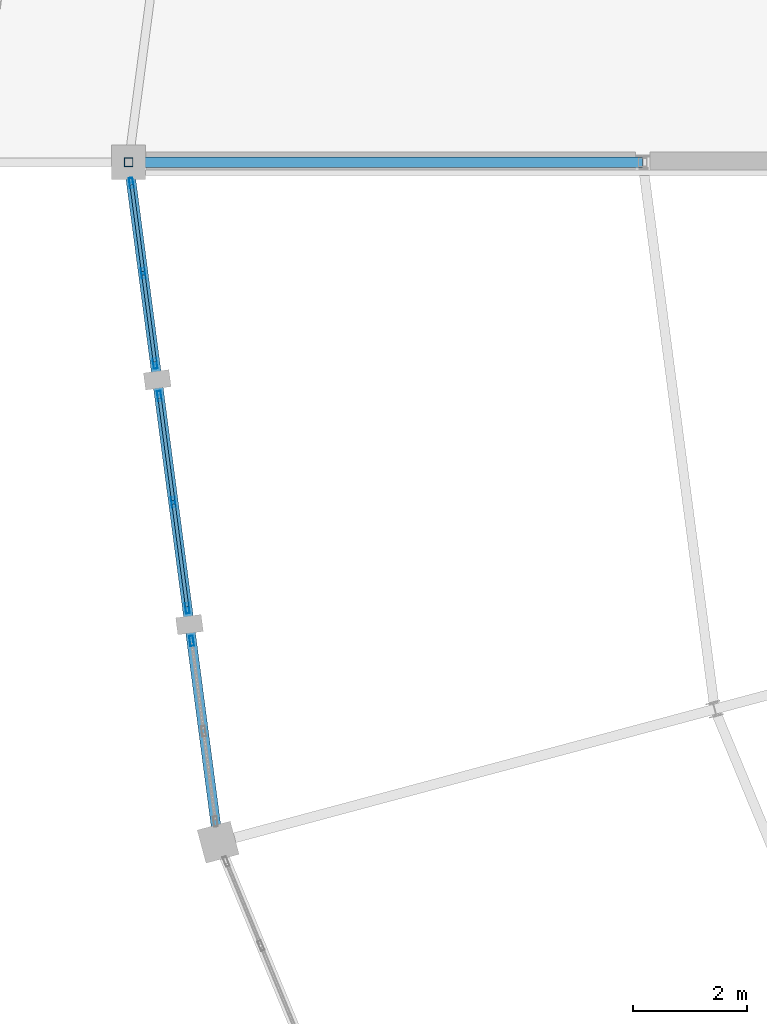
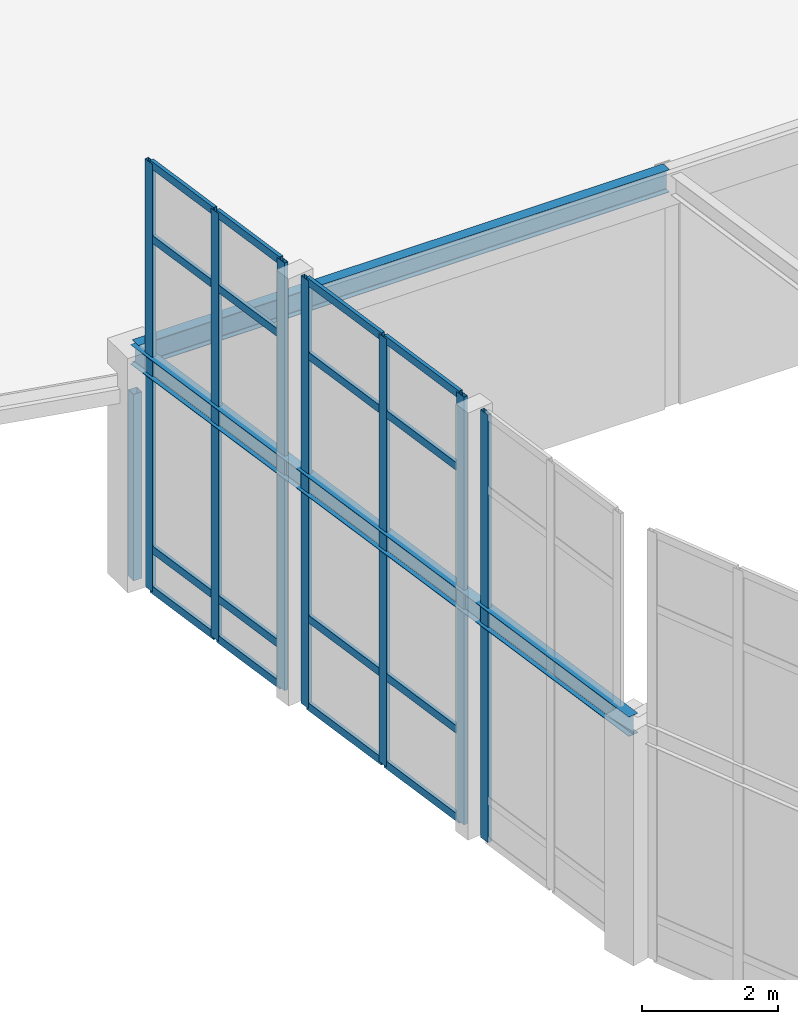
# One storey, part 30 of 93: 24 members, 2 beams, 3 elements without a shape of their own.
"""IFC4 building model written with IfcOpenShell, lengths in metres."""

from ifc_helpers import new_model, si_unit, direction, frame, origin, origin_2d, place, context, subcontext, project, spatial, hollow_rectangle, i_section, extrude, material, material_profile, profile_set, type_object, element, aggregate, save


model = new_model("IFC4")

# Units and contexts
model_context = context("Model", 3, precision=1e-05, world=origin(), true_north=direction((0.0, 1.0)))
body_context = subcontext(model_context, "Body", "Model", "MODEL_VIEW")
ifc_project = project(units=[si_unit("LENGTHUNIT", "METRE"), si_unit("AREAUNIT", "SQUARE_METRE"), si_unit("VOLUMEUNIT", "CUBIC_METRE"), si_unit("PLANEANGLEUNIT", "RADIAN"), si_unit("MASSUNIT", "GRAM", prefix="KILO")], contexts=[model_context])

# Site, building, storey
site_placement = place(None, origin())
site = spatial("IfcSite", under=ifc_project, at=site_placement, CompositionType="ELEMENT")
building_placement = place(site_placement, origin())
building = spatial("IfcBuilding", under=site, at=building_placement, Name="Vondelvale Polytechnic", CompositionType="ELEMENT")
storey_placement = place(building_placement, frame((0.0, 0.0, 18.0)))
storey = spatial("IfcBuildingStorey", under=building, at=storey_placement, Name="L04", CompositionType="ELEMENT", Elevation=18.0)

# Beams
ifc_material_1 = material(Name="Steel 300PLUS (fy = 300 MPa)", Category="steel")
ifc_material_profile_1 = material_profile(ifc_material_1, i_section(OverallWidth=0.1708984375, OverallDepth=0.35205078125, WebThickness=0.0068359375, FlangeThickness=0.009765625, FilletRadius=0.011474609375, at=origin_2d()), Name="360UB44.7")
ifc_profile_set_1 = profile_set([ifc_material_profile_1], Name="Steel 300PLUS (fy = 300 MPa)")
beam_type_1 = type_object("IfcBeamType", Name="BM-UB360L", PredefinedType="BEAM", material=ifc_profile_set_1)
beam_1_placement = place(storey_placement, frame((56.0, 72.0, 4.02392578125), z_axis=(0.130522880875, -0.991445297315, 0.0), x_axis=(0.991445297315, 0.130522880875, 0.0)))
element("IfcBeam", 1, at=beam_1_placement, inside=storey, type_object=beam_type_1, Name="L04 RE B-24", PredefinedType="BEAM", context=body_context, shape_type="SweptSolid", body=[
    extrude(i_section(OverallWidth=0.1708984375, OverallDepth=0.35205078125, WebThickness=0.0068359375, FlangeThickness=0.009765625, FilletRadius=0.011474609375, at=origin_2d()), origin(), (0.0, 0.0, 1.0), 12.008544921875),
])
ifc_material_profile_2 = material_profile(ifc_material_1, i_section(OverallWidth=0.177978515625, OverallDepth=0.403076171875, WebThickness=0.007568359375, FlangeThickness=0.010986328125, FilletRadius=0.011474609375, at=origin_2d()), Name="410UB53.7")
ifc_profile_set_2 = profile_set([ifc_material_profile_2], Name="Steel 300PLUS (fy = 300 MPa)")
beam_type_2 = type_object("IfcBeamType", Name="BM-UB410L", PredefinedType="BEAM", material=ifc_profile_set_2)
beam_2_placement = place(storey_placement, frame((65.0, 72.0, 3.99853515625), z_axis=(-1.0, 0.0, 0.0), x_axis=(0.0, -1.0, 0.0)))
element("IfcBeam", 2, at=beam_2_placement, inside=storey, type_object=beam_type_2, Name="L04 REG B-23", PredefinedType="BEAM", context=body_context, shape_type="SweptSolid", body=[
    extrude(i_section(OverallWidth=0.177978515625, OverallDepth=0.403076171875, WebThickness=0.007568359375, FlangeThickness=0.010986328125, FilletRadius=0.011474609375, at=origin_2d()), origin(), (0.0, 0.0, 1.0), 9.0),
])

# Curtain wall, members
ifc_material_2 = material(Name="Glulam GL18 structural Tasmanian oak (fb = 42 MPa)", Category="wood")
curtain_wall_type = type_object("IfcCurtainWallType", Name="CW-RING-OUTER", PredefinedType="NOTDEFINED", material=ifc_material_2)
curtain_wall_1_placement = place(storey_placement, origin())
curtain_wall_1 = element("IfcCurtainWall", 3, at=curtain_wall_1_placement, inside=storey, type_object=curtain_wall_type, Name="L04 architectural curtain wall CW-04-272", PredefinedType="NOTDEFINED")
ifc_material_3 = material(Name="Anodised extruded aluminium 6063-T6", Category="aluminium")
ifc_material_profile_3 = material_profile(ifc_material_3, hollow_rectangle(XDim=0.06494140625, YDim=0.179931640625, WallThickness=0.00390625, at=origin_2d()), Name="CW-MUL-180x65")
ifc_profile_set_3 = profile_set([ifc_material_profile_3], Name="Anodised extruded aluminium 6063-T6")
member_type_1 = type_object("IfcMemberType", Name="CW-MUL-65x180", PredefinedType="MULLION", material=ifc_profile_set_3)
member_1_placement = place(storey_placement, frame((56.047607421875, 71.637939453125, 0.0), z_axis=(0.0, 0.0, 1.0), x_axis=(0.991443102996, 0.130539547729, 0.0)))
member_1 = element("IfcMember", 4, at=member_1_placement, type_object=member_type_1, Name="CW-04-272 mullion 1", PredefinedType="MULLION", context=body_context, shape_type="SweptSolid", body=[
    extrude(hollow_rectangle(XDim=0.06494140625, YDim=0.179931640625, WallThickness=0.00390625, at=origin_2d()), origin(), (0.0, 0.0, 1.0), 7.661376953125),
])
member_2_placement = place(storey_placement, frame((56.255859375, 70.056640625, 0.0), z_axis=(0.0, 0.0, 1.0), x_axis=(0.991443102996, 0.130539547729, 0.0)))
member_2 = element("IfcMember", 5, at=member_2_placement, type_object=member_type_1, Name="CW-04-272 mullion 2", PredefinedType="MULLION", context=body_context, shape_type="SweptSolid", body=[
    extrude(hollow_rectangle(XDim=0.06494140625, YDim=0.179931640625, WallThickness=0.00390625, at=origin_2d()), origin(), (0.0, 0.0, 1.0), 7.661376953125),
])
member_3_placement = place(storey_placement, frame((56.464111328125, 68.475341796875, 0.0), z_axis=(0.0, 0.0, 1.0), x_axis=(0.991443102996, 0.130539547729, 0.0)))
member_3 = element("IfcMember", 6, at=member_3_placement, type_object=member_type_1, Name="CW-04-272 mullion 3", PredefinedType="MULLION", context=body_context, shape_type="SweptSolid", body=[
    extrude(hollow_rectangle(XDim=0.06494140625, YDim=0.179931640625, WallThickness=0.00390625, at=origin_2d()), origin(), (0.0, 0.0, 1.0), 7.661376953125),
])

curtain_wall_2_placement = place(storey_placement, origin())
curtain_wall_2 = element("IfcCurtainWall", 7, at=curtain_wall_2_placement, inside=storey, type_object=curtain_wall_type, Name="L04 architectural curtain wall CW-04-273", PredefinedType="NOTDEFINED")
member_4_placement = place(storey_placement, frame((56.5390625, 67.9052734375, 0.0), z_axis=(0.0, 0.0, 1.0), x_axis=(0.991448671082, 0.130497251349, 0.0)))
member_4 = element("IfcMember", 8, at=member_4_placement, type_object=member_type_1, Name="CW-04-273 mullion 1", PredefinedType="MULLION", context=body_context, shape_type="SweptSolid", body=[
    extrude(hollow_rectangle(XDim=0.06494140625, YDim=0.179931640625, WallThickness=0.00390625, at=origin_2d()), origin(), (0.0, 0.0, 1.0), 7.661376953125),
])
member_5_placement = place(storey_placement, frame((56.78369140625, 66.047119140625, 0.0), z_axis=(0.0, 0.0, 1.0), x_axis=(0.991448671082, 0.130497251349, 0.0)))
member_5 = element("IfcMember", 9, at=member_5_placement, type_object=member_type_1, Name="CW-04-273 mullion 2", PredefinedType="MULLION", context=body_context, shape_type="SweptSolid", body=[
    extrude(hollow_rectangle(XDim=0.06494140625, YDim=0.179931640625, WallThickness=0.00390625, at=origin_2d()), origin(), (0.0, 0.0, 1.0), 7.661376953125),
])
member_6_placement = place(storey_placement, frame((57.0283203125, 64.189208984375, 0.0), z_axis=(0.0, 0.0, 1.0), x_axis=(0.991448671082, 0.130497251349, 0.0)))
member_6 = element("IfcMember", 10, at=member_6_placement, type_object=member_type_1, Name="CW-04-273 mullion 3", PredefinedType="MULLION", context=body_context, shape_type="SweptSolid", body=[
    extrude(hollow_rectangle(XDim=0.06494140625, YDim=0.179931640625, WallThickness=0.00390625, at=origin_2d()), origin(), (0.0, 0.0, 1.0), 7.661376953125),
])

# Curtain wall, member
curtain_wall_3_placement = place(storey_placement, origin())
curtain_wall_3 = element("IfcCurtainWall", 11, at=curtain_wall_3_placement, inside=storey, type_object=curtain_wall_type, Name="L04 architectural curtain wall CW-04-274", PredefinedType="NOTDEFINED")
member_7_placement = place(storey_placement, frame((57.103271484375, 63.619140625, 0.0), z_axis=(0.0, 0.0, 1.0), x_axis=(0.991443102996, 0.130539547729, 0.0)))
member_7 = element("IfcMember", 12, at=member_7_placement, type_object=member_type_1, Name="CW-04-274 mullion 1", PredefinedType="MULLION", context=body_context, shape_type="SweptSolid", body=[
    extrude(hollow_rectangle(XDim=0.06494140625, YDim=0.179931640625, WallThickness=0.00390625, at=origin_2d()), origin(), (0.0, 0.0, 1.0), 7.661376953125),
])
aggregate(curtain_wall_3, [member_7])

# Member
ifc_material_profile_4 = material_profile(ifc_material_3, hollow_rectangle(XDim=0.06005859375, YDim=0.139892578125, WallThickness=0.00341796875, at=origin_2d()), Name="CW-TRN-140x60")
ifc_profile_set_4 = profile_set([ifc_material_profile_4], Name="Anodised extruded aluminium 6063-T6")
member_type_2 = type_object("IfcMemberType", Name="CW-TRN-60x140", PredefinedType="USERDEFINED", material=ifc_profile_set_4)
member_8_placement = place(storey_placement, frame((56.052001953125, 71.605712890625, 0.030029296875), z_axis=(0.130532942165, -0.991443972703, 0.0), x_axis=(0.991443972703, 0.130532942165, 0.0)))
member_8 = element("IfcMember", 13, at=member_8_placement, type_object=member_type_2, Name="CW-04-272 transom 1.1", ObjectType="TRANSOM", PredefinedType="USERDEFINED", context=body_context, shape_type="SweptSolid", body=[
    extrude(hollow_rectangle(XDim=0.06005859375, YDim=0.139892578125, WallThickness=0.00341796875, at=origin_2d()), origin(), (0.0, 0.0, 1.0), 1.530029296875),
])

member_9_placement = place(storey_placement, frame((56.052001953125, 71.605712890625, 0.75), z_axis=(0.130532942165, -0.991443972703, 0.0), x_axis=(0.991443972703, 0.130532942165, 0.0)))
member_9 = element("IfcMember", 14, at=member_9_placement, type_object=member_type_2, Name="CW-04-272 transom 1.2", ObjectType="TRANSOM", PredefinedType="USERDEFINED", context=body_context, shape_type="SweptSolid", body=[
    extrude(hollow_rectangle(XDim=0.06005859375, YDim=0.139892578125, WallThickness=0.00341796875, at=origin_2d()), origin(), (0.0, 0.0, 1.0), 1.530029296875),
])

member_10_placement = place(storey_placement, frame((56.052001953125, 71.605712890625, 6.311279296875), z_axis=(0.130532942165, -0.991443972703, 0.0), x_axis=(0.991443972703, 0.130532942165, 0.0)))
member_10 = element("IfcMember", 15, at=member_10_placement, type_object=member_type_2, Name="CW-04-272 transom 1.3", ObjectType="TRANSOM", PredefinedType="USERDEFINED", context=body_context, shape_type="SweptSolid", body=[
    extrude(hollow_rectangle(XDim=0.06005859375, YDim=0.139892578125, WallThickness=0.00341796875, at=origin_2d()), origin(), (0.0, 0.0, 1.0), 1.530029296875),
])

member_11_placement = place(storey_placement, frame((56.052001953125, 71.605712890625, 7.63134765625), z_axis=(0.130532942165, -0.991443972703, 0.0), x_axis=(0.991443972703, 0.130532942165, 0.0)))
member_11 = element("IfcMember", 16, at=member_11_placement, type_object=member_type_2, Name="CW-04-272 transom 1.4", ObjectType="TRANSOM", PredefinedType="USERDEFINED", context=body_context, shape_type="SweptSolid", body=[
    extrude(hollow_rectangle(XDim=0.06005859375, YDim=0.139892578125, WallThickness=0.00341796875, at=origin_2d()), origin(), (0.0, 0.0, 1.0), 1.530029296875),
])

member_12_placement = place(storey_placement, frame((56.260009765625, 70.0244140625, 0.030029296875), z_axis=(0.130512293736, -0.991446691045, 0.0), x_axis=(0.991446691045, 0.130512293736, 0.0)))
member_12 = element("IfcMember", 17, at=member_12_placement, type_object=member_type_2, Name="CW-04-272 transom 2.1", ObjectType="TRANSOM", PredefinedType="USERDEFINED", context=body_context, shape_type="SweptSolid", body=[
    extrude(hollow_rectangle(XDim=0.06005859375, YDim=0.139892578125, WallThickness=0.00341796875, at=origin_2d()), origin(), (0.0, 0.0, 1.0), 1.5302734375),
])

member_13_placement = place(storey_placement, frame((56.260009765625, 70.0244140625, 0.75), z_axis=(0.130512293736, -0.991446691045, 0.0), x_axis=(0.991446691045, 0.130512293736, 0.0)))
member_13 = element("IfcMember", 18, at=member_13_placement, type_object=member_type_2, Name="CW-04-272 transom 2.2", ObjectType="TRANSOM", PredefinedType="USERDEFINED", context=body_context, shape_type="SweptSolid", body=[
    extrude(hollow_rectangle(XDim=0.06005859375, YDim=0.139892578125, WallThickness=0.00341796875, at=origin_2d()), origin(), (0.0, 0.0, 1.0), 1.5302734375),
])

member_14_placement = place(storey_placement, frame((56.260009765625, 70.0244140625, 6.311279296875), z_axis=(0.130512293736, -0.991446691045, 0.0), x_axis=(0.991446691045, 0.130512293736, 0.0)))
member_14 = element("IfcMember", 19, at=member_14_placement, type_object=member_type_2, Name="CW-04-272 transom 2.3", ObjectType="TRANSOM", PredefinedType="USERDEFINED", context=body_context, shape_type="SweptSolid", body=[
    extrude(hollow_rectangle(XDim=0.06005859375, YDim=0.139892578125, WallThickness=0.00341796875, at=origin_2d()), origin(), (0.0, 0.0, 1.0), 1.5302734375),
])

member_15_placement = place(storey_placement, frame((56.260009765625, 70.0244140625, 7.63134765625), z_axis=(0.130512293736, -0.991446691045, 0.0), x_axis=(0.991446691045, 0.130512293736, 0.0)))
member_15 = element("IfcMember", 20, at=member_15_placement, type_object=member_type_2, Name="CW-04-272 transom 2.4", ObjectType="TRANSOM", PredefinedType="USERDEFINED", context=body_context, shape_type="SweptSolid", body=[
    extrude(hollow_rectangle(XDim=0.06005859375, YDim=0.139892578125, WallThickness=0.00341796875, at=origin_2d()), origin(), (0.0, 0.0, 1.0), 1.5302734375),
])

aggregate(curtain_wall_1, [member_1, member_2, member_3, member_8, member_9, member_10, member_11, member_12, member_13, member_14, member_15])

member_16_placement = place(storey_placement, frame((56.54345703125, 67.873046875, 0.030029296875), z_axis=(0.130492911033, -0.991449242357, 0.0), x_axis=(0.991449242357, 0.130492911033, 0.0)))
member_16 = element("IfcMember", 21, at=member_16_placement, type_object=member_type_2, Name="CW-04-273 transom 1.1", ObjectType="TRANSOM", PredefinedType="USERDEFINED", context=body_context, shape_type="SweptSolid", body=[
    extrude(hollow_rectangle(XDim=0.06005859375, YDim=0.139892578125, WallThickness=0.00341796875, at=origin_2d()), origin(), (0.0, 0.0, 1.0), 1.80908203125),
])

member_17_placement = place(storey_placement, frame((56.54345703125, 67.873046875, 1.60009765625), z_axis=(0.130492911033, -0.991449242357, 0.0), x_axis=(0.991449242357, 0.130492911033, 0.0)))
member_17 = element("IfcMember", 22, at=member_17_placement, type_object=member_type_2, Name="CW-04-273 transom 1.2", ObjectType="TRANSOM", PredefinedType="USERDEFINED", context=body_context, shape_type="SweptSolid", body=[
    extrude(hollow_rectangle(XDim=0.06005859375, YDim=0.139892578125, WallThickness=0.00341796875, at=origin_2d()), origin(), (0.0, 0.0, 1.0), 1.80908203125),
])

member_18_placement = place(storey_placement, frame((56.54345703125, 67.873046875, 6.311279296875), z_axis=(0.130492911033, -0.991449242357, 0.0), x_axis=(0.991449242357, 0.130492911033, 0.0)))
member_18 = element("IfcMember", 23, at=member_18_placement, type_object=member_type_2, Name="CW-04-273 transom 1.3", ObjectType="TRANSOM", PredefinedType="USERDEFINED", context=body_context, shape_type="SweptSolid", body=[
    extrude(hollow_rectangle(XDim=0.06005859375, YDim=0.139892578125, WallThickness=0.00341796875, at=origin_2d()), origin(), (0.0, 0.0, 1.0), 1.80908203125),
])

member_19_placement = place(storey_placement, frame((56.54345703125, 67.873046875, 7.63134765625), z_axis=(0.130492911033, -0.991449242357, 0.0), x_axis=(0.991449242357, 0.130492911033, 0.0)))
member_19 = element("IfcMember", 24, at=member_19_placement, type_object=member_type_2, Name="CW-04-273 transom 1.4", ObjectType="TRANSOM", PredefinedType="USERDEFINED", context=body_context, shape_type="SweptSolid", body=[
    extrude(hollow_rectangle(XDim=0.06005859375, YDim=0.139892578125, WallThickness=0.00341796875, at=origin_2d()), origin(), (0.0, 0.0, 1.0), 1.80908203125),
])

member_20_placement = place(storey_placement, frame((56.787841796875, 66.014892578125, 0.030029296875), z_axis=(0.130510372288, -0.991446943979, 0.0), x_axis=(0.991446943979, 0.130510372288, 0.0)))
member_20 = element("IfcMember", 25, at=member_20_placement, type_object=member_type_2, Name="CW-04-273 transom 2.1", ObjectType="TRANSOM", PredefinedType="USERDEFINED", context=body_context, shape_type="SweptSolid", body=[
    extrude(hollow_rectangle(XDim=0.06005859375, YDim=0.139892578125, WallThickness=0.00341796875, at=origin_2d()), origin(), (0.0, 0.0, 1.0), 1.808837890625),
])

member_21_placement = place(storey_placement, frame((56.787841796875, 66.014892578125, 1.60009765625), z_axis=(0.130510372288, -0.991446943979, 0.0), x_axis=(0.991446943979, 0.130510372288, 0.0)))
member_21 = element("IfcMember", 26, at=member_21_placement, type_object=member_type_2, Name="CW-04-273 transom 2.2", ObjectType="TRANSOM", PredefinedType="USERDEFINED", context=body_context, shape_type="SweptSolid", body=[
    extrude(hollow_rectangle(XDim=0.06005859375, YDim=0.139892578125, WallThickness=0.00341796875, at=origin_2d()), origin(), (0.0, 0.0, 1.0), 1.808837890625),
])

member_22_placement = place(storey_placement, frame((56.787841796875, 66.014892578125, 6.311279296875), z_axis=(0.130510372288, -0.991446943979, 0.0), x_axis=(0.991446943979, 0.130510372288, 0.0)))
member_22 = element("IfcMember", 27, at=member_22_placement, type_object=member_type_2, Name="CW-04-273 transom 2.3", ObjectType="TRANSOM", PredefinedType="USERDEFINED", context=body_context, shape_type="SweptSolid", body=[
    extrude(hollow_rectangle(XDim=0.06005859375, YDim=0.139892578125, WallThickness=0.00341796875, at=origin_2d()), origin(), (0.0, 0.0, 1.0), 1.808837890625),
])

member_23_placement = place(storey_placement, frame((56.787841796875, 66.014892578125, 7.63134765625), z_axis=(0.130510372288, -0.991446943979, 0.0), x_axis=(0.991446943979, 0.130510372288, 0.0)))
member_23 = element("IfcMember", 28, at=member_23_placement, type_object=member_type_2, Name="CW-04-273 transom 2.4", ObjectType="TRANSOM", PredefinedType="USERDEFINED", context=body_context, shape_type="SweptSolid", body=[
    extrude(hollow_rectangle(XDim=0.06005859375, YDim=0.139892578125, WallThickness=0.00341796875, at=origin_2d()), origin(), (0.0, 0.0, 1.0), 1.808837890625),
])

aggregate(curtain_wall_2, [member_4, member_5, member_6, member_16, member_17, member_18, member_19, member_20, member_21, member_22, member_23])

ifc_material_4 = material(Name="Steel C350L0 (fy = 350 MPa)", Category="steel")
ifc_material_profile_5 = material_profile(ifc_material_4, hollow_rectangle(XDim=0.14990234375, YDim=0.14990234375, WallThickness=0.006103515625, at=origin_2d()), Name="150x150x6.0SHS")
ifc_profile_set_5 = profile_set([ifc_material_profile_5], Name="Steel C350L0 (fy = 350 MPa)")
member_type_3 = type_object("IfcMemberType", Name="ROOF TRUSS POST 150SHS", PredefinedType="POST", material=ifc_profile_set_5)
member_24_placement = place(storey_placement, frame((56.0, 72.0, 0.0), z_axis=(0.0, 0.0, 1.0), x_axis=(1.0, 0.0, 0.0)))
element("IfcMember", 29, at=member_24_placement, inside=storey, type_object=member_type_3, Name="Ring step outer roof post 11", PredefinedType="POST", context=body_context, shape_type="SweptSolid", body=[
    extrude(hollow_rectangle(XDim=0.14990234375, YDim=0.14990234375, WallThickness=0.006103515625, at=origin_2d()), origin(), (0.0, 0.0, 1.0), 3.33984375),
])

save(model, "model.ifc")
